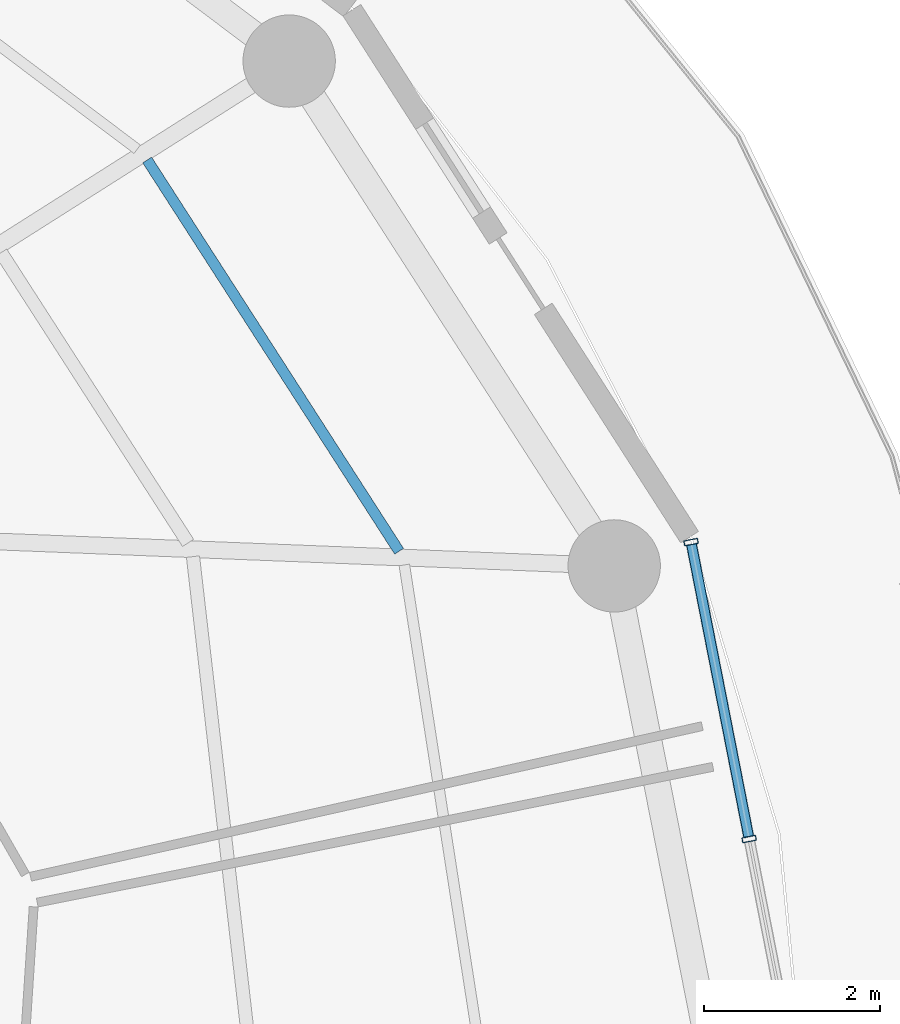
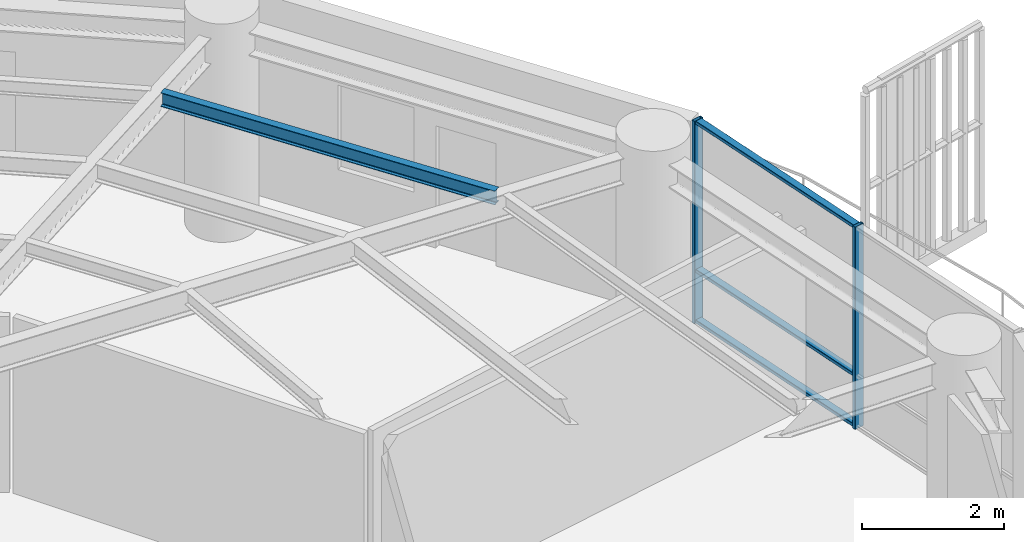
# One storey, part 16 of 31: 5 members, 1 beam, 1 element without a shape of its own.
"""IFC4 building model written with IfcOpenShell, lengths in metres."""

from ifc_helpers import new_model, si_unit, direction, frame, origin, origin_2d, place, context, subcontext, project, spatial, hollow_rectangle, i_section, extrude, material, layer, layer_set, material_profile, profile_set, type_object, element, aggregate, save


model = new_model("IFC4")

# Units and contexts
model_context = context("Model", 3, precision=1e-05, world=origin(), true_north=direction((0.0, 1.0)))
body_context = subcontext(model_context, "Body", "Model", "MODEL_VIEW")
ifc_project = project(units=[si_unit("LENGTHUNIT", "METRE"), si_unit("AREAUNIT", "SQUARE_METRE"), si_unit("VOLUMEUNIT", "CUBIC_METRE"), si_unit("PLANEANGLEUNIT", "RADIAN"), si_unit("MASSUNIT", "GRAM", prefix="KILO")], contexts=[model_context])

# Site, building, storey
site_placement = place(None, origin())
site = spatial("IfcSite", under=ifc_project, at=site_placement, CompositionType="ELEMENT")
building_placement = place(site_placement, origin())
building = spatial("IfcBuilding", under=site, at=building_placement, Name="Kelanora Arch Commons", CompositionType="ELEMENT")
storey_placement = place(building_placement, frame((0.0, 0.0, 196.949951171875)))
storey = spatial("IfcBuildingStorey", under=building, at=storey_placement, Name="L50", CompositionType="ELEMENT", Elevation=196.949951171875)

# Beam
ifc_material_1 = material(Name="Steel S355", Category="steel")
ifc_material_profile_1 = material_profile(ifc_material_1, i_section(OverallWidth=0.1201171875, OverallDepth=0.239990234375, WebThickness=0.006103515625, FlangeThickness=0.009765625, FilletRadius=0.014892578125, at=origin_2d()), Name="IPE240")
ifc_profile_set_1 = profile_set([ifc_material_profile_1], Name="Steel S355")
beam_type = type_object("IfcBeamType", Name="BM-JST-02", PredefinedType="JOIST", material=ifc_profile_set_1)
beam_placement = place(storey_placement, frame((91.55126953125, 64.69189453125, 3.3701171875), z_axis=(-0.541382492679, 0.840776424872, 0.0), x_axis=(-0.840776424872, -0.541382492679, 0.0)))
element("IfcBeam", 1, at=beam_placement, inside=storey, type_object=beam_type, Name="Secondary Chord Joist BJC-02 L50", PredefinedType="JOIST", context=body_context, shape_type="SweptSolid", body=[
    extrude(i_section(OverallWidth=0.1201171875, OverallDepth=0.239990234375, WebThickness=0.006103515625, FlangeThickness=0.009765625, FilletRadius=0.014892578125, at=origin_2d()), origin(), (0.0, 0.0, 1.0), 5.29052734375),
])

# Curtain wall, members
ifc_material_2 = material(Name="Terracotta ceramic-fritted low-E glass and aluminium", Category="masonry")
ifc_layer = layer(ifc_material_2, 0.175048828125)
ifc_layer_set = layer_set([ifc_layer], Name="Terracotta ceramic-fritted low-E glass and aluminium")
curtain_wall_type = type_object("IfcCurtainWallType", Name="CW-SYS-02", PredefinedType="NOTDEFINED", material=ifc_layer_set)
curtain_wall_placement = place(storey_placement, origin())
curtain_wall = element("IfcCurtainWall", 2, at=curtain_wall_placement, inside=storey, type_object=curtain_wall_type, Name="Unitised Curtain Wall L50-B00", PredefinedType="NOTDEFINED")
ifc_material_3 = material(Name="Powder-coated aluminium terracotta", Category="masonry")
ifc_material_profile_2 = material_profile(ifc_material_3, hollow_rectangle(XDim=0.159912109375, YDim=0.06005859375, WallThickness=0.0048828125, InnerFilletRadius=0.0048828125, OuterFilletRadius=0.010009765625, at=origin_2d()), Name="CWM160x60")
ifc_profile_set_2 = profile_set([ifc_material_profile_2], Name="Powder-coated aluminium terracotta")
member_type_1 = type_object("IfcMemberType", Name="CWM-STD", PredefinedType="MULLION", material=ifc_profile_set_2)
member_1_placement = place(storey_placement, frame((95.530517578125, 61.420166015625, 0.0), z_axis=(0.0, 0.0, 1.0), x_axis=(-0.981381438349, -0.192068926335, 0.0)))
member_1 = element("IfcMember", 3, at=member_1_placement, type_object=member_type_1, Name="CW-02 mullion 2", PredefinedType="MULLION", context=body_context, shape_type="SweptSolid", body=[
    extrude(hollow_rectangle(XDim=0.159912109375, YDim=0.06005859375, WallThickness=0.0048828125, InnerFilletRadius=0.0048828125, OuterFilletRadius=0.010009765625, at=origin_2d()), origin(), (0.0, 0.0, 1.0), 3.47509765625),
])
member_2_placement = place(storey_placement, frame((94.869873046875, 64.796142578125, 0.0), z_axis=(0.0, 0.0, 1.0), x_axis=(-0.981381438349, -0.192068926335, 0.0)))
member_2 = element("IfcMember", 4, at=member_2_placement, type_object=member_type_1, Name="CW-02 mullion 3", PredefinedType="MULLION", context=body_context, shape_type="SweptSolid", body=[
    extrude(hollow_rectangle(XDim=0.159912109375, YDim=0.06005859375, WallThickness=0.0048828125, InnerFilletRadius=0.0048828125, OuterFilletRadius=0.010009765625, at=origin_2d()), origin(), (0.0, 0.0, 1.0), 3.47509765625),
])
ifc_material_profile_3 = material_profile(ifc_material_3, hollow_rectangle(XDim=0.1201171875, YDim=0.06005859375, WallThickness=0.0048828125, InnerFilletRadius=0.0048828125, OuterFilletRadius=0.010009765625, at=origin_2d()), Name="CWT120x60")
ifc_profile_set_3 = profile_set([ifc_material_profile_3], Name="Powder-coated aluminium terracotta")
member_type_2 = type_object("IfcMemberType", Name="CWT-STD", PredefinedType="USERDEFINED", material=ifc_profile_set_3)
member_3_placement = place(storey_placement, frame((95.52490234375, 61.44970703125, 0.030029296875), z_axis=(-0.192058488005, 0.981383481207, 0.0), x_axis=(-0.981383481207, -0.192058488005, 0.0)))
member_3 = element("IfcMember", 5, at=member_3_placement, type_object=member_type_2, Name="CW-02 transom 2.1", ObjectType="TRANSOM", PredefinedType="USERDEFINED", context=body_context, shape_type="SweptSolid", body=[
    extrude(hollow_rectangle(XDim=0.1201171875, YDim=0.06005859375, WallThickness=0.0048828125, InnerFilletRadius=0.0048828125, OuterFilletRadius=0.010009765625, at=origin_2d()), origin(), (0.0, 0.0, 1.0), 3.380126953125),
])
member_4_placement = place(storey_placement, frame((95.52490234375, 61.44970703125, 0.900146484375), z_axis=(-0.192058488005, 0.981383481207, 0.0), x_axis=(-0.981383481207, -0.192058488005, 0.0)))
member_4 = element("IfcMember", 6, at=member_4_placement, type_object=member_type_2, Name="CW-02 transom 2.2", ObjectType="TRANSOM", PredefinedType="USERDEFINED", context=body_context, shape_type="SweptSolid", body=[
    extrude(hollow_rectangle(XDim=0.1201171875, YDim=0.06005859375, WallThickness=0.0048828125, InnerFilletRadius=0.0048828125, OuterFilletRadius=0.010009765625, at=origin_2d()), origin(), (0.0, 0.0, 1.0), 3.380126953125),
])
member_5_placement = place(storey_placement, frame((95.52490234375, 61.44970703125, 3.445068359375), z_axis=(-0.192058488005, 0.981383481207, 0.0), x_axis=(-0.981383481207, -0.192058488005, 0.0)))
member_5 = element("IfcMember", 7, at=member_5_placement, type_object=member_type_2, Name="CW-02 transom 2.3", ObjectType="TRANSOM", PredefinedType="USERDEFINED", context=body_context, shape_type="SweptSolid", body=[
    extrude(hollow_rectangle(XDim=0.1201171875, YDim=0.06005859375, WallThickness=0.0048828125, InnerFilletRadius=0.0048828125, OuterFilletRadius=0.010009765625, at=origin_2d()), origin(), (0.0, 0.0, 1.0), 3.380126953125),
])
aggregate(curtain_wall, [member_1, member_2, member_3, member_4, member_5])

save(model, "model.ifc")
